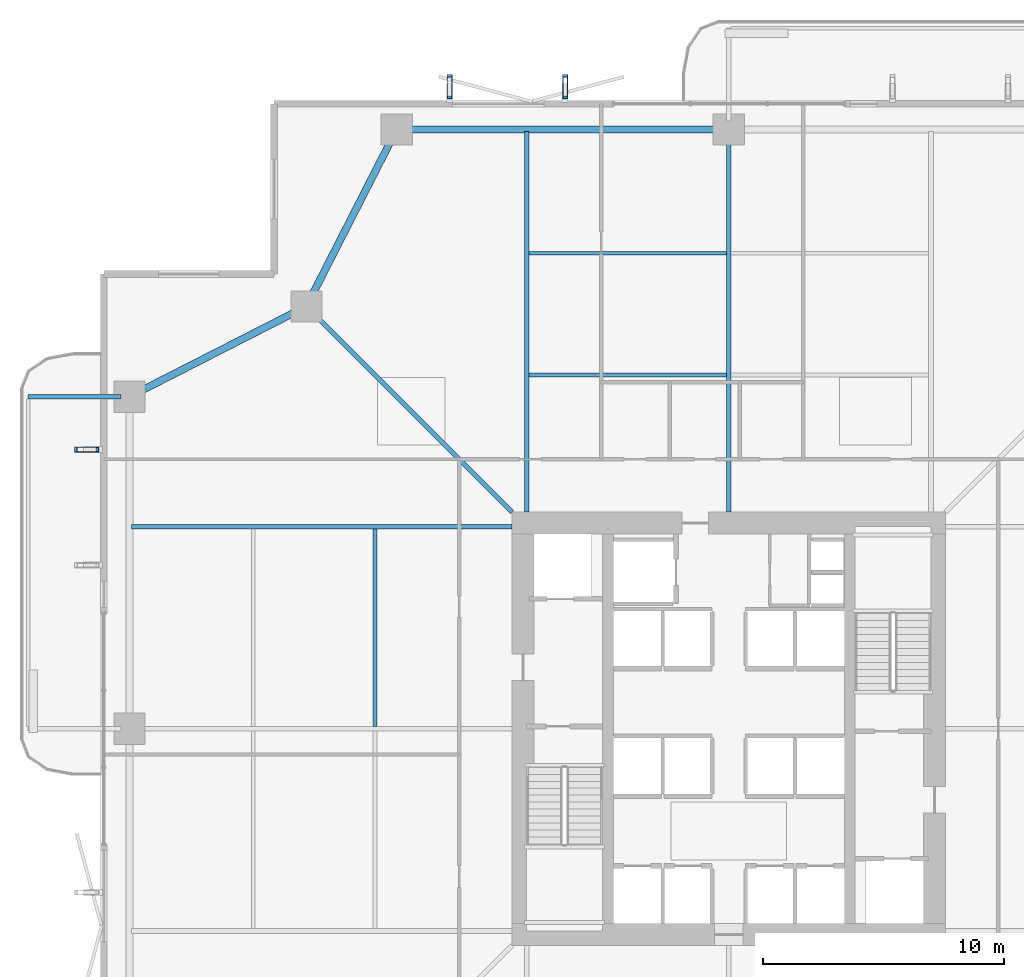
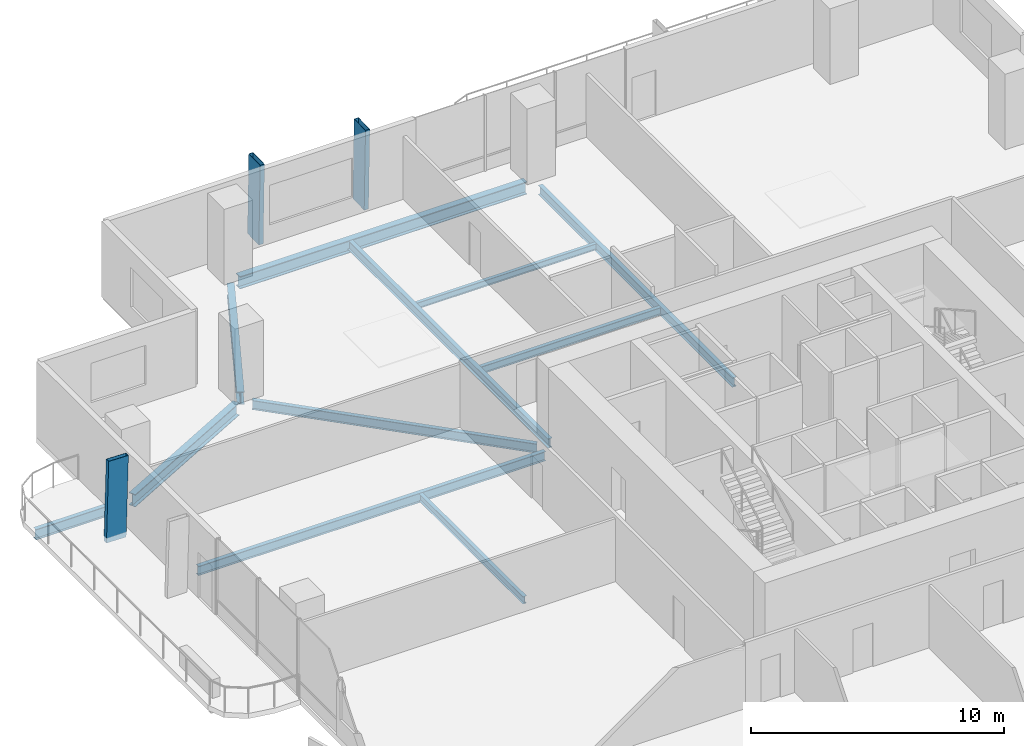
# One storey, part 10 of 23: 11 beams, 3 members.
"""IFC4 building model written with IfcOpenShell, lengths in metres."""

from ifc_helpers import new_model, si_unit, direction, frame, origin, origin_2d, place, context, subcontext, project, spatial, hollow_rectangle, i_section, extrude, material, material_profile, profile_set, type_object, element, save


model = new_model("IFC4")

# Units and contexts
model_context = context("Model", 3, precision=1e-05, world=origin(), true_north=direction((0.0, 1.0)))
body_context = subcontext(model_context, "Body", "Model", "MODEL_VIEW")
ifc_project = project(units=[si_unit("LENGTHUNIT", "METRE"), si_unit("AREAUNIT", "SQUARE_METRE"), si_unit("VOLUMEUNIT", "CUBIC_METRE"), si_unit("PLANEANGLEUNIT", "RADIAN"), si_unit("MASSUNIT", "GRAM", prefix="KILO")], contexts=[model_context])

# Site, building, storey
site_placement = place(None, origin())
site = spatial("IfcSite", under=ifc_project, at=site_placement, CompositionType="ELEMENT")
building_placement = place(site_placement, origin())
building = spatial("IfcBuilding", under=site, at=building_placement, Name="Belovzor Exchange Tower", CompositionType="ELEMENT")
storey_placement = place(building_placement, frame((0.0, 0.0, 125.10009765625)))
storey = spatial("IfcBuildingStorey", under=building, at=storey_placement, Name="L30", CompositionType="ELEMENT", Elevation=125.10009765625)

# Beams
ifc_material_1 = material(Name="Steel S355", Category="steel")
ifc_material_profile_1 = material_profile(ifc_material_1, i_section(OverallWidth=0.199951171875, OverallDepth=0.5, WebThickness=0.01025390625, FlangeThickness=0.01611328125, at=origin_2d()))
ifc_profile_set_1 = profile_set([ifc_material_profile_1], Name="Steel S355")
beam_type_1 = type_object("IfcBeamType", Name="Planted Balcony Cantilever Beam IPE 500", PredefinedType="BEAM", material=ifc_profile_set_1)
beam_1_placement = place(storey_placement, frame((3.5419921875, 42.60009765625, -0.5), z_axis=(-1.0, 0.0, 0.0), x_axis=(0.0, -1.0, 0.0)))
element("IfcBeam", 1, at=beam_1_placement, inside=storey, type_object=beam_type_1, Name="BC-500 Planted Balcony Cantilever Beam IPE 500", PredefinedType="BEAM", context=body_context, shape_type="SweptSolid", body=[
    extrude(i_section(OverallWidth=0.199951171875, OverallDepth=0.5, WebThickness=0.01025390625, FlangeThickness=0.01611328125, at=origin_2d()), origin(), (0.0, 0.0, 1.0), 3.85009765625),
])
ifc_material_2 = material(Name="Steel S355", Category="steel")
ifc_material_profile_2 = material_profile(ifc_material_2, i_section(OverallWidth=0.169921875, OverallDepth=0.360107421875, WebThickness=0.008056640625, FlangeThickness=0.0126953125, at=origin_2d()))
ifc_profile_set_2 = profile_set([ifc_material_profile_2], Name="Steel S355")
beam_type_2 = type_object("IfcBeamType", Name="Secondary Infill Floor Joist IPE 360", PredefinedType="BEAM", material=ifc_profile_set_2)
for number, where, z_axis, x_axis, name in (
    (2, (20.4951171875, 43.4970703125, -0.43017578125), (1.0, 0.0, 0.0), (0.0, 1.0, 0.0), "FJ-360 Secondary Infill Floor Joist IPE 360"),
    (3, (14.10302734375, 28.89501953125, -0.43017578125), (0.0, 1.0, 0.0), (-1.0, 0.0, 0.0), "FJ-360 Secondary Infill Floor Joist IPE 360"),
):
    element("IfcBeam", number, at=place(storey_placement, frame(where, z_axis=z_axis, x_axis=x_axis)), inside=storey, type_object=beam_type_2, Name=name, PredefinedType="BEAM", context=body_context, shape_type="SweptSolid", body=[
        extrude(i_section(OverallWidth=0.169921875, OverallDepth=0.360107421875, WebThickness=0.008056640625, FlangeThickness=0.0126953125, at=origin_2d()), origin(), (0.0, 0.0, 1.0), 8.2099609375),
    ])
ifc_material_3 = material(Name="Steel S355", Category="steel")
ifc_material_profile_3 = material_profile(ifc_material_3, i_section(OverallWidth=0.14990234375, OverallDepth=0.300048828125, WebThickness=0.007080078125, FlangeThickness=0.0107421875, at=origin_2d()))
ifc_profile_set_3 = profile_set([ifc_material_profile_3], Name="Steel S355")
beam_type_3 = type_object("IfcBeamType", Name="Secondary Trim Floor Joist IPE 300", PredefinedType="BEAM", material=ifc_profile_set_3)
beam_2_placement = place(storey_placement, frame((20.4951171875, 48.56103515625, -0.400146484375), z_axis=(1.0, 0.0, 0.0), x_axis=(0.0, 1.0, 0.0)))
element("IfcBeam", 4, at=beam_2_placement, inside=storey, type_object=beam_type_3, Name="FJ-300 Secondary Trim Floor Joist IPE 300", PredefinedType="BEAM", context=body_context, shape_type="SweptSolid", body=[
    extrude(i_section(OverallWidth=0.14990234375, OverallDepth=0.300048828125, WebThickness=0.007080078125, FlangeThickness=0.0107421875, at=origin_2d()), origin(), (0.0, 0.0, 1.0), 8.2099609375),
])

# Members
ifc_material_4 = material(Name="Extruded Architectural Terracotta on Steel S355 Carrier", Category="masonry")
ifc_material_profile_4 = material_profile(ifc_material_4, hollow_rectangle(XDim=0.199951171875, YDim=0.89990234375, WallThickness=0.011962890625, at=origin_2d()))
ifc_profile_set_4 = profile_set([ifc_material_profile_4], Name="Extruded Architectural Terracotta on Steel S355 Carrier")
member_type = type_object("IfcMemberType", Name="Sweeping Terracotta Baguette Fin Assembly 1250", PredefinedType="USERDEFINED", material=ifc_profile_set_4)
for number, where, z_axis, x_axis, name in (
    (5, (17.199951171875, 55.528076171875, -0.25), (0.0, -0.026408715329, 0.999651229057), (1.0, 0.0, 0.0), "FIN-TC125 Terracotta Facade Fin L30 N1"),
    (6, (22.0, 55.528076171875, -0.25), (0.0, -0.026408715329, 0.999651229057), (1.0, 0.0, 0.0), "FIN-TC125 Terracotta Facade Fin L30 N2"),
    (7, (2.072021484375, 40.39990234375, -0.25), (0.026408715329, 0.0, 0.999651229057), (0.0, 1.0, 0.0), "FIN-TC125 Terracotta Facade Fin L30 W4"),
):
    element("IfcMember", number, at=place(storey_placement, frame(where, z_axis=z_axis, x_axis=x_axis)), inside=storey, type_object=member_type, Name=name, ObjectType="FIN", PredefinedType="USERDEFINED", context=body_context, shape_type="SweptSolid", body=[
        extrude(hollow_rectangle(XDim=0.199951171875, YDim=0.89990234375, WallThickness=0.011962890625, at=origin_2d()), origin(), (0.0, 0.0, 1.0), 3.9013671875),
    ])

# Beams
ifc_material_5 = material(Name="Steel S355", Category="steel")
ifc_material_profile_5 = material_profile(ifc_material_5, i_section(OverallWidth=0.300048828125, OverallDepth=0.60009765625, WebThickness=0.015380859375, FlangeThickness=0.030029296875, at=origin_2d()))
ifc_profile_set_5 = profile_set([ifc_material_profile_5], Name="Steel S355")
beam_type_4 = type_object("IfcBeamType", Name="Zone 2 Primary Perimeter Girder HEB 600", PredefinedType="BEAM", material=ifc_profile_set_5)
beam_3_placement = place(storey_placement, frame((28.44189453125, 53.699951171875, -0.550048828125), z_axis=(-1.0, 0.0, 0.0), x_axis=(0.0, -1.0, 0.0)))
element("IfcBeam", 8, at=beam_3_placement, inside=storey, type_object=beam_type_4, Name="FG-Z2 Zone 2 Primary Perimeter Girder HEB 600", PredefinedType="BEAM", context=body_context, shape_type="SweptSolid", body=[
    extrude(i_section(OverallWidth=0.300048828125, OverallDepth=0.60009765625, WebThickness=0.015380859375, FlangeThickness=0.030029296875, at=origin_2d()), origin(), (0.0, 0.0, 1.0), 13.0849609375),
])
for number, where, z_axis, x_axis, name in (
    (9, (14.837890625, 53.382080078125, -0.550048828125), (-0.454492894481, -0.890750362822, 0.0), (0.890750362822, -0.454492894481, 0.0), "FG-Z2 Zone 2 Primary Perimeter Girder HEB 600"),
    (10, (10.931884765625, 46.18798828125, -0.550048828125), (-0.890730558493, -0.454531706448, 0.0), (0.454531706448, -0.890730558493, 0.0), "FG-Z2 Zone 2 Primary Perimeter Girder HEB 600"),
):
    element("IfcBeam", number, at=place(storey_placement, frame(where, z_axis=z_axis, x_axis=x_axis)), inside=storey, type_object=beam_type_4, Name=name, PredefinedType="BEAM", context=body_context, shape_type="SweptSolid", body=[
        extrude(i_section(OverallWidth=0.300048828125, OverallDepth=0.60009765625, WebThickness=0.015380859375, FlangeThickness=0.030029296875, at=origin_2d()), origin(), (0.0, 0.0, 1.0), 7.53759765625),
    ])
ifc_material_6 = material(Name="Steel S355", Category="steel")
ifc_material_profile_6 = material_profile(ifc_material_6, i_section(OverallWidth=0.18994140625, OverallDepth=0.449951171875, WebThickness=0.009521484375, FlangeThickness=0.0146484375, at=origin_2d()))
ifc_profile_set_6 = profile_set([ifc_material_profile_6], Name="Steel S355")
beam_type_5 = type_object("IfcBeamType", Name="Zone 2-4 Radial Composite Floor Beam IPE 450", PredefinedType="BEAM", material=ifc_profile_set_6)
beam_4_placement = place(storey_placement, frame((20.39990234375, 37.800048828125, -0.47509765625), z_axis=(0.0, 1.0, 0.0), x_axis=(-1.0, 0.0, 0.0)))
element("IfcBeam", 11, at=beam_4_placement, inside=storey, type_object=beam_type_5, Name="FB-450 Zone 2-4 Radial Composite Floor Beam IPE 450", PredefinedType="BEAM", context=body_context, shape_type="SweptSolid", body=[
    extrude(i_section(OverallWidth=0.18994140625, OverallDepth=0.449951171875, WebThickness=0.009521484375, FlangeThickness=0.0146484375, at=origin_2d()), origin(), (0.0, 0.0, 1.0), 15.824951171875),
])
beam_5_placement = place(storey_placement, frame((28.800048828125, 37.800048828125, -0.47509765625), z_axis=(0.0, 1.0, 0.0), x_axis=(-1.0, 0.0, 0.0)))
element("IfcBeam", 12, at=beam_5_placement, inside=storey, type_object=beam_type_5, Name="FB-450 Zone 2-4 Radial Composite Floor Beam IPE 450", PredefinedType="BEAM", context=body_context, shape_type="SweptSolid", body=[
    extrude(i_section(OverallWidth=0.18994140625, OverallDepth=0.449951171875, WebThickness=0.009521484375, FlangeThickness=0.0146484375, at=origin_2d()), origin(), (0.0, 0.0, 1.0), 15.327880859375),
])
beam_6_placement = place(storey_placement, frame((19.800048828125, 37.199951171875, -0.47509765625), z_axis=(-1.0, 0.0, 0.0), x_axis=(0.0, -1.0, 0.0)))
element("IfcBeam", 13, at=beam_6_placement, inside=storey, type_object=beam_type_5, Name="FB-450 Zone 2-4 Radial Composite Floor Beam IPE 450", PredefinedType="BEAM", context=body_context, shape_type="SweptSolid", body=[
    extrude(i_section(OverallWidth=0.18994140625, OverallDepth=0.449951171875, WebThickness=0.009521484375, FlangeThickness=0.0146484375, at=origin_2d()), origin(), (0.0, 0.0, 1.0), 15.824951171875),
])
beam_7_placement = place(storey_placement, frame((19.800048828125, 37.800048828125, -0.47509765625), z_axis=(-0.707117275577, 0.70709628664, 0.0), x_axis=(-0.70709628664, -0.707117275577, 0.0)))
element("IfcBeam", 14, at=beam_7_placement, inside=storey, type_object=beam_type_5, Name="FB-450 Zone 2-4 Radial Composite Floor Beam IPE 450", PredefinedType="BEAM", context=body_context, shape_type="SweptSolid", body=[
    extrude(i_section(OverallWidth=0.18994140625, OverallDepth=0.449951171875, WebThickness=0.009521484375, FlangeThickness=0.0146484375, at=origin_2d()), origin(), (0.0, 0.0, 1.0), 11.6318359375),
])

save(model, "model.ifc")
